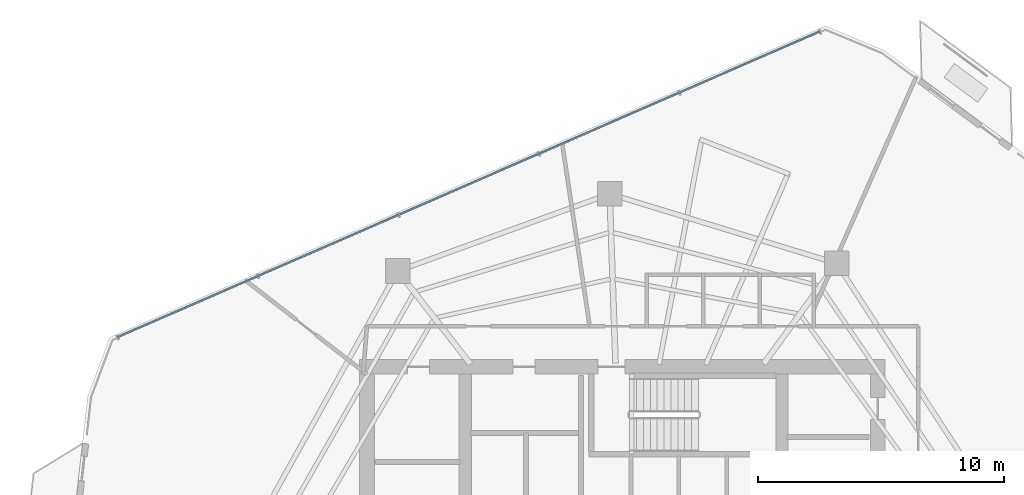
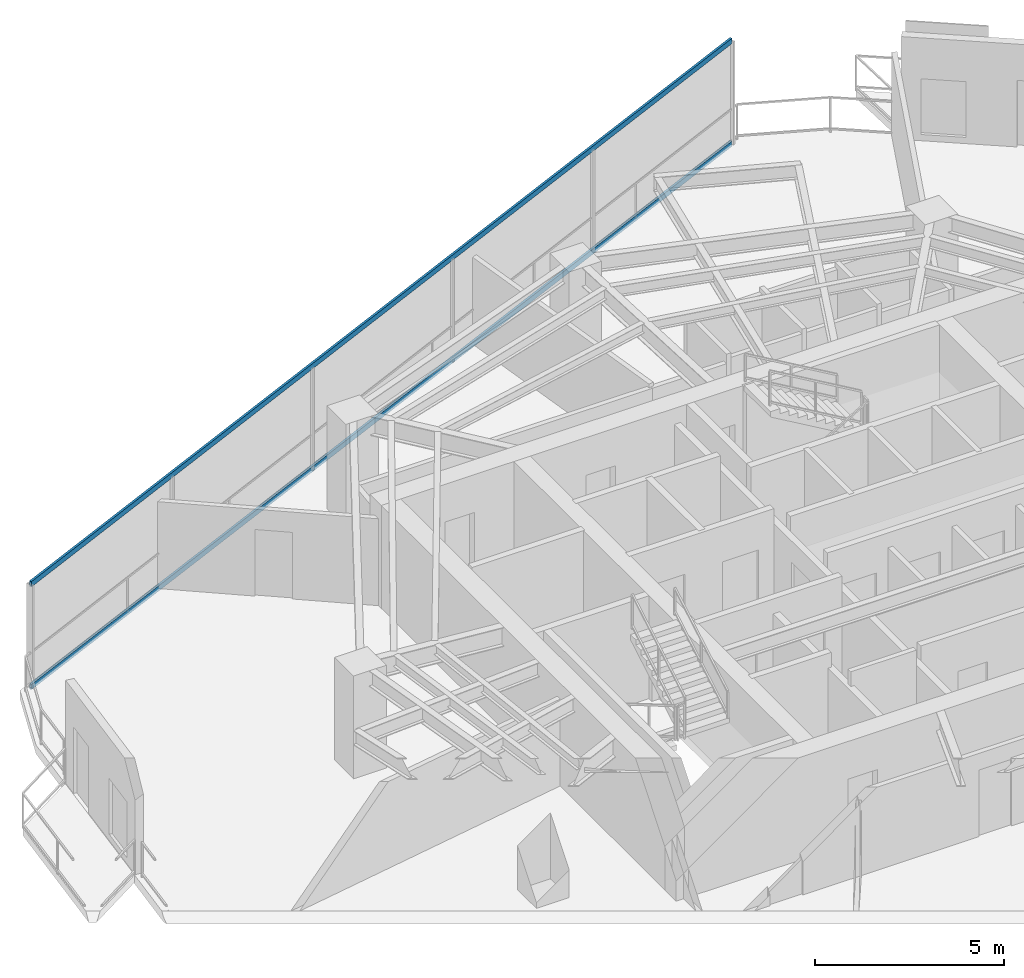
# One storey, part 14 of 22: 2 members, 1 element without a shape of its own.
"""IFC4 building model written with IfcOpenShell, lengths in metres."""

from ifc_helpers import new_model, si_unit, direction, frame, origin, origin_2d, place, context, subcontext, project, spatial, hollow_rectangle, extrude, material, layer, layer_set, material_profile, profile_set, type_object, element, aggregate, save


model = new_model("IFC4")

# Units and contexts
model_context = context("Model", 3, precision=1e-05, world=origin(), true_north=direction((0.0, 1.0)))
body_context = subcontext(model_context, "Body", "Model", "MODEL_VIEW")
ifc_project = project(units=[si_unit("LENGTHUNIT", "METRE"), si_unit("AREAUNIT", "SQUARE_METRE"), si_unit("VOLUMEUNIT", "CUBIC_METRE"), si_unit("PLANEANGLEUNIT", "RADIAN"), si_unit("MASSUNIT", "GRAM", prefix="KILO")], contexts=[model_context])

# Site, building, storey
site_placement = place(None, origin())
site = spatial("IfcSite", under=ifc_project, at=site_placement, CompositionType="ELEMENT")
building_placement = place(site_placement, origin())
building = spatial("IfcBuilding", under=site, at=building_placement, Name="Qarnah Convention Tower", CompositionType="ELEMENT")
storey_placement = place(building_placement, frame((0.0, 0.0, 154.5)))
storey = spatial("IfcBuildingStorey", under=building, at=storey_placement, Name="L41", CompositionType="ELEMENT", Elevation=154.5)

# Curtain wall, members
ifc_material_1 = material(Name="Tempered Low-E dark glass", Category="glass")
ifc_layer = layer(ifc_material_1, 0.172119140625)
ifc_layer_set = layer_set([ifc_layer], Name="Tempered Low-E dark glass")
curtain_wall_type = type_object("IfcCurtainWallType", Name="CWS-03", PredefinedType="NOTDEFINED", material=ifc_layer_set)
curtain_wall_placement = place(storey_placement, origin())
curtain_wall = element("IfcCurtainWall", 1, at=curtain_wall_placement, inside=storey, type_object=curtain_wall_type, Name="L41 unitised curtain wall CW-L41-F1", PredefinedType="NOTDEFINED")
ifc_material_2 = material(Name="Black anodised aluminium", Category="aluminium")
ifc_material_profile = material_profile(ifc_material_2, hollow_rectangle(XDim=0.070068359375, YDim=0.169921875, WallThickness=0.0048828125, at=origin_2d()), Name="TRN-70X170")
ifc_profile_set = profile_set([ifc_material_profile], Name="Black anodised aluminium")
member_type = type_object("IfcMemberType", Name="TRN-T3", PredefinedType="USERDEFINED", material=ifc_profile_set)
member_1_placement = place(storey_placement, frame((16.653076171875, 35.407958984375, 0.0), z_axis=(0.916923457585, 0.39906311898, 0.0), x_axis=(-0.39906311898, 0.916923457585, 0.0)))
member_1 = element("IfcMember", 2, at=member_1_placement, type_object=member_type, Name="CW-L41-F1 transom 1", ObjectType="TRANSOM", PredefinedType="USERDEFINED", context=body_context, shape_type="SweptSolid", body=[
    extrude(hollow_rectangle(XDim=0.070068359375, YDim=0.169921875, WallThickness=0.0048828125, at=origin_2d()), origin(), (0.0, 0.0, 1.0), 31.176025390625),
])
member_2_placement = place(storey_placement, frame((16.653076171875, 35.407958984375, 3.320068359375), z_axis=(0.916923457585, 0.39906311898, 0.0), x_axis=(-0.39906311898, 0.916923457585, 0.0)))
member_2 = element("IfcMember", 3, at=member_2_placement, type_object=member_type, Name="CW-L41-F1 transom 2", ObjectType="TRANSOM", PredefinedType="USERDEFINED", context=body_context, shape_type="SweptSolid", body=[
    extrude(hollow_rectangle(XDim=0.070068359375, YDim=0.169921875, WallThickness=0.0048828125, at=origin_2d()), origin(), (0.0, 0.0, 1.0), 31.176025390625),
])
aggregate(curtain_wall, [member_1, member_2])

save(model, "model.ifc")
